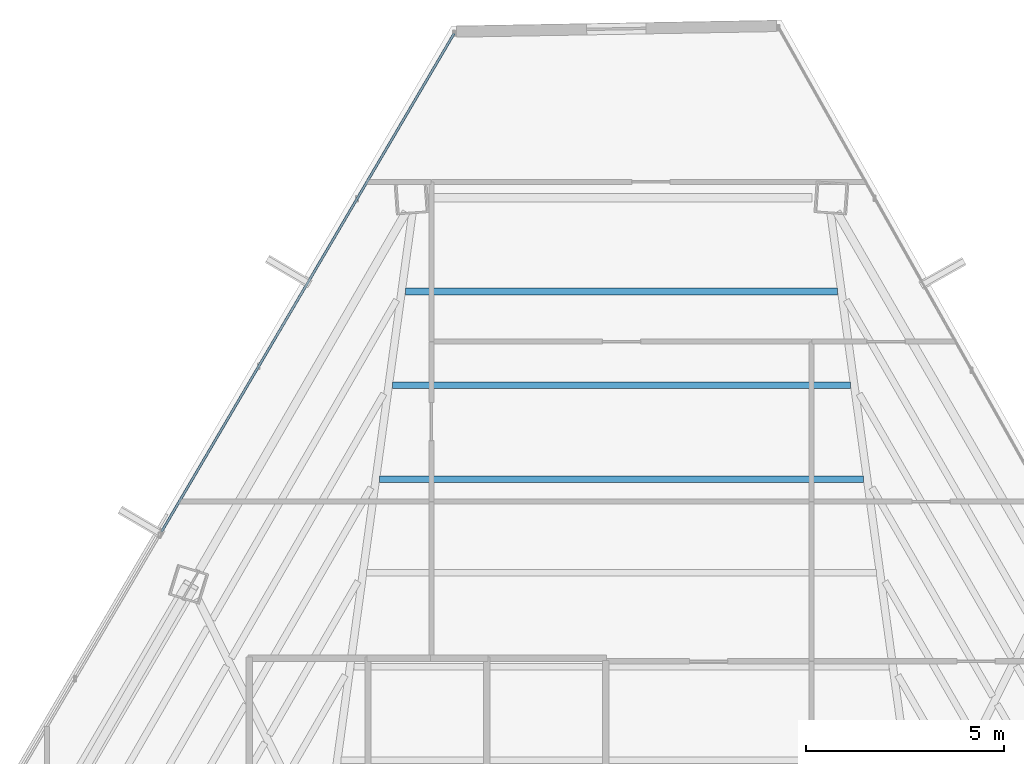
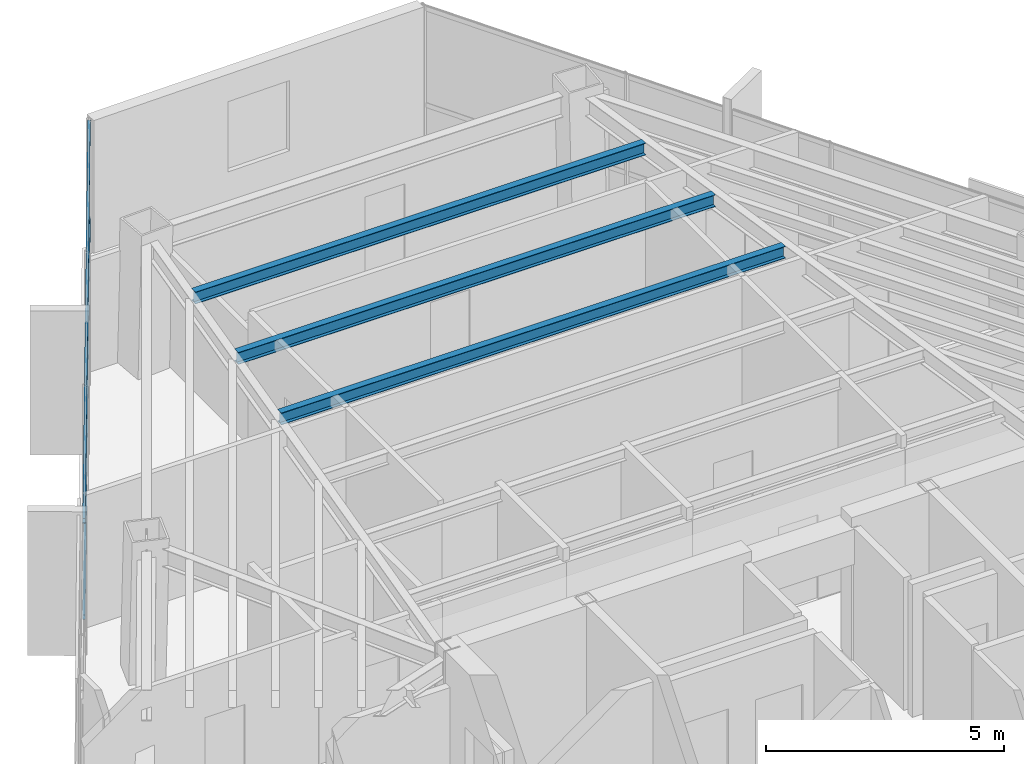
# One storey, part 28 of 42: 3 beams, 2 members, 1 element without a shape of its own.
"""IFC4 building model written with IfcOpenShell, lengths in metres."""

from ifc_helpers import new_model, si_unit, direction, frame, origin, origin_2d, place, context, subcontext, project, spatial, hollow_rectangle, i_section, extrude, source, transform, mapped, material, material_profile, profile_set, type_object, type_shapes, element, aggregate, save


model = new_model("IFC4")

# Units and contexts
model_context = context("Model", 3, precision=1e-05, world=origin(), true_north=direction((0.0, 1.0)))
body_context = subcontext(model_context, "Body", "Model", "MODEL_VIEW")
ifc_project = project(units=[si_unit("LENGTHUNIT", "METRE"), si_unit("AREAUNIT", "SQUARE_METRE"), si_unit("VOLUMEUNIT", "CUBIC_METRE"), si_unit("PLANEANGLEUNIT", "RADIAN"), si_unit("MASSUNIT", "GRAM", prefix="KILO")], contexts=[model_context])

# Site, building, storey
site_placement = place(None, origin())
site = spatial("IfcSite", under=ifc_project, at=site_placement, CompositionType="ELEMENT")
building_placement = place(site_placement, origin())
building = spatial("IfcBuilding", under=site, at=building_placement, Name="Caelisora Broadcast Tower", CompositionType="ELEMENT")
storey_placement = place(building_placement, frame((0.0, 0.0, 195.0)))
storey = spatial("IfcBuildingStorey", under=building, at=storey_placement, Name="L51", CompositionType="ELEMENT", Elevation=195.0)

# Beams
ifc_material_1 = material(Name="Steel Grade 350 (AS/NZS 3679.1)", Category="steel")
ifc_material_profile_1 = material_profile(ifc_material_1, i_section(OverallWidth=0.166015625, OverallDepth=0.30712890625, WebThickness=0.006591796875, FlangeThickness=0.01171875, at=origin_2d()), Name="Steel Grade 350 (AS/NZS 3679.1)")
ifc_profile_set_1 = profile_set([ifc_material_profile_1], Name="Steel Grade 350 (AS/NZS 3679.1)")
beam_type = type_object("IfcBeamType", Name="SB03", PredefinedType="JOIST", material=ifc_profile_set_1)
shared_shape_1 = source(origin(), body_context, "Body", "SweptSolid", [
    extrude(i_section(OverallWidth=0.166015625, OverallDepth=0.30712890625, WebThickness=0.006591796875, FlangeThickness=0.01171875, at=origin_2d()), origin(), (0.0, 0.0, 1.0), 12.2138671875),
])
beam_1_placement = place(storey_placement, frame((44.10693359375, 39.47021484375, 3.246337890625), z_axis=(-1.0, 0.0, 0.0), x_axis=(0.0, -1.0, 0.0)))
element("IfcBeam", 1, at=beam_1_placement, inside=storey, type_object=beam_type, Name="L51 beam SB03", PredefinedType="JOIST", context=body_context, shape_type="MappedRepresentation", body=[
    mapped(shared_shape_1, transform((0.0, 0.0, 0.0), scale=1.0)),
])
shared_shape_2 = source(origin(), body_context, "Body", "SweptSolid", [
    extrude(i_section(OverallWidth=0.166015625, OverallDepth=0.30712890625, WebThickness=0.006591796875, FlangeThickness=0.01171875, at=origin_2d()), origin(), (0.0, 0.0, 1.0), 11.56396484375),
])
beam_2_placement = place(storey_placement, frame((43.781982421875, 41.837890625, 3.246337890625), z_axis=(-1.0, 0.0, 0.0), x_axis=(0.0, -1.0, 0.0)))
element("IfcBeam", 2, at=beam_2_placement, inside=storey, type_object=beam_type, Name="L51 beam SB03", PredefinedType="JOIST", context=body_context, shape_type="MappedRepresentation", body=[
    mapped(shared_shape_2, transform((0.0, 0.0, 0.0), scale=1.0)),
])
shared_shape_3 = source(origin(), body_context, "Body", "SweptSolid", [
    extrude(i_section(OverallWidth=0.166015625, OverallDepth=0.30712890625, WebThickness=0.006591796875, FlangeThickness=0.01171875, at=origin_2d()), origin(), (0.0, 0.0, 1.0), 10.9140625),
])
type_shapes(beam_type, [shared_shape_1, shared_shape_2, shared_shape_3])
beam_3_placement = place(storey_placement, frame((43.45703125, 44.205322265625, 3.246337890625), z_axis=(-1.0, 0.0, 0.0), x_axis=(0.0, -1.0, 0.0)))
element("IfcBeam", 3, at=beam_3_placement, inside=storey, type_object=beam_type, Name="L51 beam SB03", PredefinedType="JOIST", context=body_context, shape_type="MappedRepresentation", body=[
    mapped(shared_shape_3, transform((0.0, 0.0, 0.0), scale=1.0)),
])

# Curtain wall, members
ifc_material_2 = material(Name="Unitised Aluminium and Low-E Glass Curtain Wall", Category="glass")
curtain_wall_type = type_object("IfcCurtainWallType", Name="CW-Z4", PredefinedType="NOTDEFINED", material=ifc_material_2)
curtain_wall_placement = place(storey_placement, origin())
curtain_wall = element("IfcCurtainWall", 4, at=curtain_wall_placement, inside=storey, type_object=curtain_wall_type, Name="L51 curtain wall CW-Z4", PredefinedType="NOTDEFINED")
ifc_material_3 = material(Name="Aluminium 6063-T6 Anodised Terracotta Bronze", Category="aluminium")
ifc_material_profile_2 = material_profile(ifc_material_3, hollow_rectangle(XDim=0.06005859375, YDim=0.1201171875, WallThickness=0.0029296875, at=origin_2d()), Name="Aluminium 6063-T6 Anodised Terracotta Bronze")
ifc_profile_set_2 = profile_set([ifc_material_profile_2], Name="Aluminium 6063-T6 Anodised Terracotta Bronze")
member_type = type_object("IfcMemberType", Name="CWT-03", PredefinedType="USERDEFINED", material=ifc_profile_set_2)
shared_shape_4 = source(origin(), body_context, "Body", "SweptSolid", [
    extrude(hollow_rectangle(XDim=0.06005859375, YDim=0.1201171875, WallThickness=0.0029296875, at=origin_2d()), origin(), (0.0, 0.0, 1.0), 14.585693359375),
])
type_shapes(member_type, [shared_shape_4])
member_1_placement = place(storey_placement, frame((26.39111328125, 38.142333984375, 0.85009765625), z_axis=(0.506352118116, 0.862326813035, 0.0), x_axis=(-0.862326813035, 0.506352118116, 0.0)))
member_1 = element("IfcMember", 5, at=member_1_placement, type_object=member_type, Name="L51-CW-B11 transom #1", ObjectType="TRANSOM", PredefinedType="USERDEFINED", context=body_context, shape_type="MappedRepresentation", body=[
    mapped(shared_shape_4, transform((0.0, 0.0, 0.0), scale=1.0)),
])
member_2_placement = place(storey_placement, frame((26.39111328125, 38.142333984375, 3.320068359375), z_axis=(0.506352118116, 0.862326813035, 0.0), x_axis=(-0.862326813035, 0.506352118116, 0.0)))
member_2 = element("IfcMember", 6, at=member_2_placement, type_object=member_type, Name="L51-CW-B11 transom #2", ObjectType="TRANSOM", PredefinedType="USERDEFINED", context=body_context, shape_type="MappedRepresentation", body=[
    mapped(shared_shape_4, transform((0.0, 0.0, 0.0), scale=1.0)),
])
aggregate(curtain_wall, [member_1, member_2])

save(model, "model.ifc")
